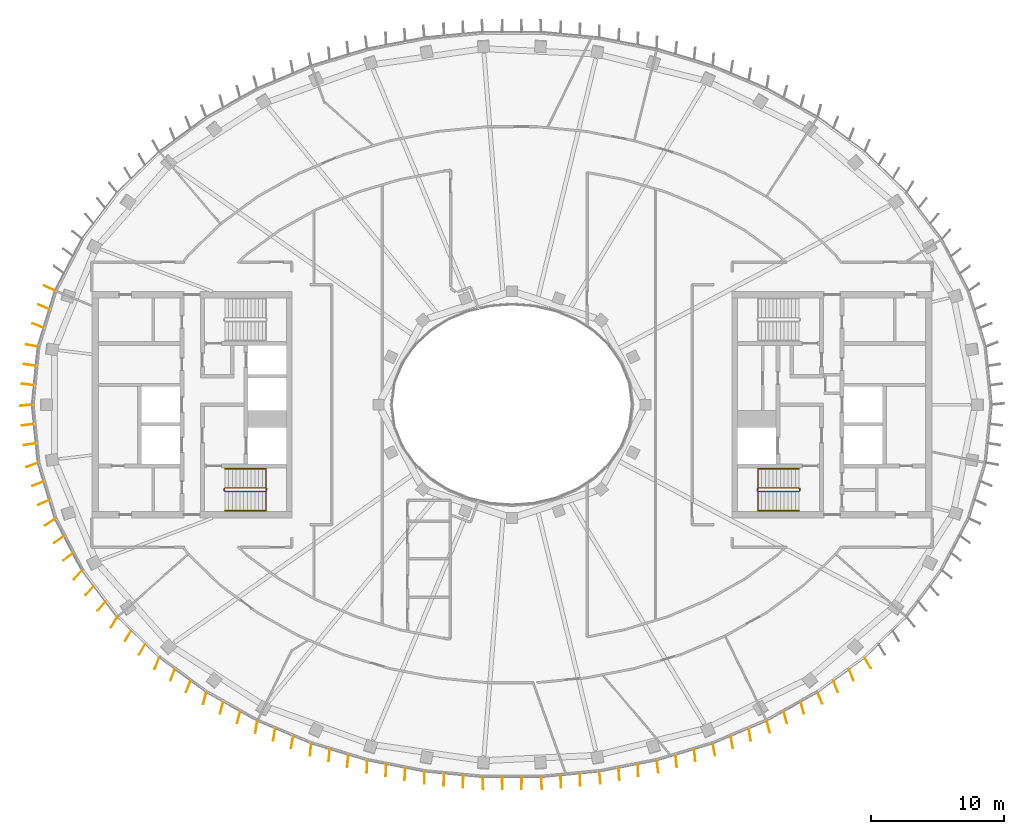
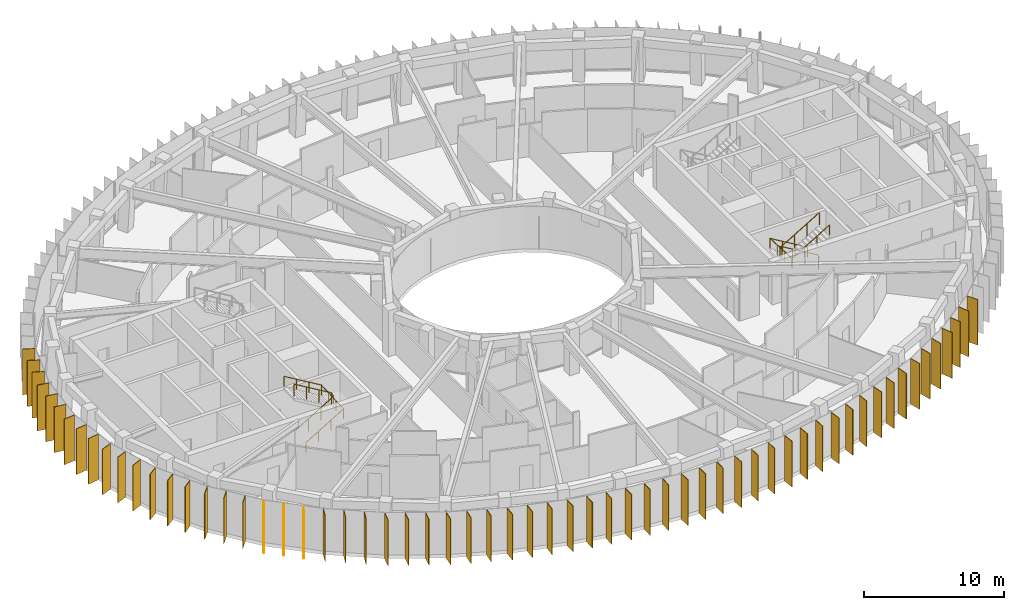
# One storey, part 11 of 13: 61 coverings, 4 railings.
"""IFC4 building model written with IfcOpenShell, lengths in metres."""

from ifc_helpers import new_model, si_unit, direction, frame, origin, origin_2d, place, context, subcontext, project, spatial, rectangle, extrude, material, material_profile, profile_set, type_object, element, save


model = new_model("IFC4")

# Units and contexts
model_context = context("Model", 3, precision=1e-05, world=origin(), true_north=direction((0.0, 1.0)))
body_context = subcontext(model_context, "Body", "Model", "MODEL_VIEW")
ifc_project = project(units=[si_unit("LENGTHUNIT", "METRE"), si_unit("AREAUNIT", "SQUARE_METRE"), si_unit("VOLUMEUNIT", "CUBIC_METRE"), si_unit("PLANEANGLEUNIT", "RADIAN"), si_unit("MASSUNIT", "GRAM", prefix="KILO")], contexts=[model_context])

# Site, building, storey
site_placement = place(None, origin())
site = spatial("IfcSite", under=ifc_project, at=site_placement, CompositionType="ELEMENT")
building_placement = place(site_placement, origin())
building = spatial("IfcBuilding", under=site, at=building_placement, Name="Noorbagh Ring Tower", CompositionType="ELEMENT")
storey_placement = place(building_placement, frame((0.0, 0.0, 327.0)))
storey = spatial("IfcBuildingStorey", under=building, at=storey_placement, Name="L71", CompositionType="ELEMENT", Elevation=327.0)

# Railings
ifc_material_1 = material(Name="Stainless steel", Category="steel")
railing_type_1 = type_object("IfcRailingType", Name="CORE-STAIR-GUARD", PredefinedType="GUARDRAIL", material=ifc_material_1)
railing_1_placement = place(storey_placement, frame((-21.580078125, -6.449951171875, 0.0)))
element("IfcRailing", 1, at=railing_1_placement, inside=storey, type_object=railing_type_1, Name="L71 ST2 stair guard", PredefinedType="GUARDRAIL", context=body_context, shape_type="SweptSolid", body=[
    extrude(rectangle(XDim=0.048095703125, YDim=0.048095703125, at=origin_2d()), frame((0.0, 0.0, 1.076171875), z_axis=(0.0, 1.0, 0.0), x_axis=(-1.0, 0.0, 0.0)), (0.0, 0.0, 1.0), 0.14990234375),
    extrude(rectangle(XDim=0.048095703125, YDim=0.048095703125, at=origin_2d()), frame((0.0, 0.14990234375, 1.076171875), z_axis=(0.188775798145, -0.754182335027, 0.628945707965), x_axis=(0.970072785993, 0.242814311512, 0.0)), (0.0, 0.0, 1.0), 0.26513671875),
    extrude(rectangle(XDim=0.048095703125, YDim=0.048095703125, at=origin_2d()), frame((0.050048828125, -0.050048828125, 1.24267578125), z_axis=(0.859308565015, 0.0, 0.511457515432), x_axis=(0.0, 1.0, 0.0)), (0.0, 0.0, 1.0), 3.58447265625),
    extrude(rectangle(XDim=0.048095703125, YDim=0.048095703125, at=origin_2d()), frame((3.130126953125, -0.050048828125, 3.076171875), z_axis=(0.707106781187, 0.707106781187, 0.0), x_axis=(-0.707106781187, 0.707106781187, 0.0)), (0.0, 0.0, 1.0), 0.07080078125),
    extrude(rectangle(XDim=0.048095703125, YDim=0.048095703125, at=origin_2d()), frame((3.18017578125, 0.0, 3.076171875), z_axis=(0.0, 1.0, 0.0), x_axis=(-1.0, 0.0, 0.0)), (0.0, 0.0, 1.0), 0.14990234375),
    extrude(rectangle(XDim=0.048095703125, YDim=0.048095703125, at=origin_2d()), frame((3.18017578125, 0.14990234375, 3.076171875), z_axis=(-0.27628659633, 0.27628659633, 0.920506074601), x_axis=(-0.707106781187, -0.707106781187, 0.0)), (0.0, 0.0, 1.0), 0.18115234375),
    extrude(rectangle(XDim=0.048095703125, YDim=0.048095703125, at=origin_2d()), frame((3.130126953125, 0.199951171875, 3.24267578125), z_axis=(-0.859308565015, 0.0, 0.511457515432), x_axis=(0.0, -1.0, 0.0)), (0.0, 0.0, 1.0), 3.58447265625),
    extrude(rectangle(XDim=0.0419921875, YDim=0.0419921875, at=origin_2d()), origin(), (0.0, 0.0, 1.0), 1.052001953125),
    extrude(rectangle(XDim=0.0419921875, YDim=0.0419921875, at=origin_2d()), frame((1.07666015625, -0.050048828125, 0.77783203125)), (0.0, 0.0, 1.0), 1.052001953125),
    extrude(rectangle(XDim=0.0419921875, YDim=0.0419921875, at=origin_2d()), frame((2.103515625, -0.050048828125, 1.388916015625)), (0.0, 0.0, 1.0), 1.052001953125),
    extrude(rectangle(XDim=0.0419921875, YDim=0.0419921875, at=origin_2d()), frame((3.130126953125, -0.050048828125, 2.0)), (0.0, 0.0, 1.0), 1.052001953125),
    extrude(rectangle(XDim=0.0419921875, YDim=0.0419921875, at=origin_2d()), frame((3.130126953125, 0.199951171875, 2.166748046875)), (0.0, 0.0, 1.0), 1.052001953125),
    extrude(rectangle(XDim=0.0419921875, YDim=0.0419921875, at=origin_2d()), frame((2.103515625, 0.199951171875, 2.77783203125)), (0.0, 0.0, 1.0), 1.052001953125),
    extrude(rectangle(XDim=0.0419921875, YDim=0.0419921875, at=origin_2d()), frame((1.07666015625, 0.199951171875, 3.388916015625)), (0.0, 0.0, 1.0), 1.052001953125),
    extrude(rectangle(XDim=0.0419921875, YDim=0.0419921875, at=origin_2d()), frame((0.050048828125, 0.199951171875, 4.0)), (0.0, 0.0, 1.0), 1.052001953125),
])
railing_2_placement = place(storey_placement, frame((21.580078125, -6.300048828125, 0.0)))
element("IfcRailing", 2, at=railing_2_placement, inside=storey, type_object=railing_type_1, Name="L71 ST4 stair guard", PredefinedType="GUARDRAIL", context=body_context, shape_type="SweptSolid", body=[
    extrude(rectangle(XDim=0.048095703125, YDim=0.048095703125, at=origin_2d()), frame((0.0, 0.0, 1.076171875), z_axis=(0.0, -1.0, 0.0), x_axis=(1.0, 0.0, 0.0)), (0.0, 0.0, 1.0), 0.14990234375),
    extrude(rectangle(XDim=0.048095703125, YDim=0.048095703125, at=origin_2d()), frame((0.0, -0.14990234375, 1.076171875), z_axis=(-0.188775798145, 0.754182335027, 0.628945707965), x_axis=(-0.970072785993, -0.242814311512, 0.0)), (0.0, 0.0, 1.0), 0.26513671875),
    extrude(rectangle(XDim=0.048095703125, YDim=0.048095703125, at=origin_2d()), frame((-0.050048828125, 0.050048828125, 1.24267578125), z_axis=(-0.859308565015, 0.0, 0.511457515432), x_axis=(0.0, -1.0, 0.0)), (0.0, 0.0, 1.0), 3.58447265625),
    extrude(rectangle(XDim=0.048095703125, YDim=0.048095703125, at=origin_2d()), frame((-3.130126953125, 0.050048828125, 3.076171875), z_axis=(-0.707106781187, -0.707106781187, 0.0), x_axis=(0.707106781187, -0.707106781187, 0.0)), (0.0, 0.0, 1.0), 0.07080078125),
    extrude(rectangle(XDim=0.048095703125, YDim=0.048095703125, at=origin_2d()), frame((-3.18017578125, 0.0, 3.076171875), z_axis=(0.0, -1.0, 0.0), x_axis=(1.0, 0.0, 0.0)), (0.0, 0.0, 1.0), 0.14990234375),
    extrude(rectangle(XDim=0.048095703125, YDim=0.048095703125, at=origin_2d()), frame((-3.18017578125, -0.14990234375, 3.076171875), z_axis=(0.27628659633, -0.27628659633, 0.920506074601), x_axis=(0.707106781187, 0.707106781187, 0.0)), (0.0, 0.0, 1.0), 0.18115234375),
    extrude(rectangle(XDim=0.048095703125, YDim=0.048095703125, at=origin_2d()), frame((-3.130126953125, -0.199951171875, 3.24267578125), z_axis=(0.859308565015, 0.0, 0.511457515432), x_axis=(0.0, 1.0, 0.0)), (0.0, 0.0, 1.0), 3.58447265625),
    extrude(rectangle(XDim=0.0419921875, YDim=0.0419921875, at=origin_2d()), origin(), (0.0, 0.0, 1.0), 1.052001953125),
    extrude(rectangle(XDim=0.0419921875, YDim=0.0419921875, at=origin_2d()), frame((-1.07666015625, 0.050048828125, 0.77783203125)), (0.0, 0.0, 1.0), 1.052001953125),
    extrude(rectangle(XDim=0.0419921875, YDim=0.0419921875, at=origin_2d()), frame((-2.103515625, 0.050048828125, 1.388916015625)), (0.0, 0.0, 1.0), 1.052001953125),
    extrude(rectangle(XDim=0.0419921875, YDim=0.0419921875, at=origin_2d()), frame((-3.130126953125, 0.050048828125, 2.0)), (0.0, 0.0, 1.0), 1.052001953125),
    extrude(rectangle(XDim=0.0419921875, YDim=0.0419921875, at=origin_2d()), frame((-3.130126953125, -0.199951171875, 2.166748046875)), (0.0, 0.0, 1.0), 1.052001953125),
    extrude(rectangle(XDim=0.0419921875, YDim=0.0419921875, at=origin_2d()), frame((-2.103515625, -0.199951171875, 2.77783203125)), (0.0, 0.0, 1.0), 1.052001953125),
    extrude(rectangle(XDim=0.0419921875, YDim=0.0419921875, at=origin_2d()), frame((-1.07666015625, -0.199951171875, 3.388916015625)), (0.0, 0.0, 1.0), 1.052001953125),
    extrude(rectangle(XDim=0.0419921875, YDim=0.0419921875, at=origin_2d()), frame((-0.050048828125, -0.199951171875, 4.0)), (0.0, 0.0, 1.0), 1.052001953125),
])
ifc_material_2 = material(Name="Stainless steel", Category="steel")
railing_type_2 = type_object("IfcRailingType", Name="CORE-STAIR-HANDRAIL", PredefinedType="HANDRAIL", material=ifc_material_2)
railing_3_placement = place(storey_placement, frame((-21.530029296875, -7.949951171875, 0.166748046875)))
element("IfcRailing", 3, at=railing_3_placement, inside=storey, type_object=railing_type_2, Name="L71 ST2 stair handrail", PredefinedType="HANDRAIL", context=body_context, shape_type="SweptSolid", body=[
    extrude(rectangle(XDim=0.048095703125, YDim=0.048095703125, at=origin_2d()), frame((0.0, 0.0, 0.8759765625), z_axis=(0.859308565015, 0.0, 0.511457515432), x_axis=(0.0, 1.0, 0.0)), (0.0, 0.0, 1.0), 3.58447265625),
    extrude(rectangle(XDim=0.048095703125, YDim=0.048095703125, at=origin_2d()), frame((3.080078125, 0.0, 2.708984375), z_axis=(0.0, 0.998601747152, 0.052863509014), x_axis=(-1.0, 0.0, 0.0)), (0.0, 0.0, 1.0), 3.154296875),
    extrude(rectangle(XDim=0.048095703125, YDim=0.048095703125, at=origin_2d()), frame((3.080078125, 3.14990234375, 2.8759765625), z_axis=(-0.859308565015, 0.0, 0.511457515432), x_axis=(0.0, -1.0, 0.0)), (0.0, 0.0, 1.0), 3.58447265625),
    extrude(rectangle(XDim=0.0419921875, YDim=0.0419921875, at=origin_2d()), origin(), (0.0, 0.0, 1.0), 0.851806640625),
    extrude(rectangle(XDim=0.0419921875, YDim=0.0419921875, at=origin_2d()), frame((1.026611328125, 0.0, 0.611083984375)), (0.0, 0.0, 1.0), 0.851806640625),
    extrude(rectangle(XDim=0.0419921875, YDim=0.0419921875, at=origin_2d()), frame((2.053466796875, 0.0, 1.22216796875)), (0.0, 0.0, 1.0), 0.851806640625),
    extrude(rectangle(XDim=0.0419921875, YDim=0.0419921875, at=origin_2d()), frame((3.080078125, 0.0, 1.833251953125)), (0.0, 0.0, 1.0), 0.851806640625),
    extrude(rectangle(XDim=0.0419921875, YDim=0.0419921875, at=origin_2d()), frame((3.080078125, 1.050048828125, 1.888916015625)), (0.0, 0.0, 1.0), 0.851806640625),
    extrude(rectangle(XDim=0.0419921875, YDim=0.0419921875, at=origin_2d()), frame((3.080078125, 2.099853515625, 1.9443359375)), (0.0, 0.0, 1.0), 0.851806640625),
    extrude(rectangle(XDim=0.0419921875, YDim=0.0419921875, at=origin_2d()), frame((3.080078125, 3.14990234375, 2.0)), (0.0, 0.0, 1.0), 0.851806640625),
    extrude(rectangle(XDim=0.0419921875, YDim=0.0419921875, at=origin_2d()), frame((2.053466796875, 3.14990234375, 2.611083984375)), (0.0, 0.0, 1.0), 0.851806640625),
    extrude(rectangle(XDim=0.0419921875, YDim=0.0419921875, at=origin_2d()), frame((1.026611328125, 3.14990234375, 3.22216796875)), (0.0, 0.0, 1.0), 0.851806640625),
    extrude(rectangle(XDim=0.0419921875, YDim=0.0419921875, at=origin_2d()), frame((0.0, 3.14990234375, 3.833251953125)), (0.0, 0.0, 1.0), 0.851806640625),
])
railing_4_placement = place(storey_placement, frame((21.530029296875, -4.800048828125, 0.166748046875)))
element("IfcRailing", 4, at=railing_4_placement, inside=storey, type_object=railing_type_2, Name="L71 ST4 stair handrail", PredefinedType="HANDRAIL", context=body_context, shape_type="SweptSolid", body=[
    extrude(rectangle(XDim=0.048095703125, YDim=0.048095703125, at=origin_2d()), frame((0.0, 0.0, 0.8759765625), z_axis=(-0.859308565015, 0.0, 0.511457515432), x_axis=(0.0, -1.0, 0.0)), (0.0, 0.0, 1.0), 3.58447265625),
    extrude(rectangle(XDim=0.048095703125, YDim=0.048095703125, at=origin_2d()), frame((-3.080078125, 0.0, 2.708984375), z_axis=(0.0, -0.998601747152, 0.052863509014), x_axis=(1.0, 0.0, 0.0)), (0.0, 0.0, 1.0), 3.154296875),
    extrude(rectangle(XDim=0.048095703125, YDim=0.048095703125, at=origin_2d()), frame((-3.080078125, -3.14990234375, 2.8759765625), z_axis=(0.859308565015, 0.0, 0.511457515432), x_axis=(0.0, 1.0, 0.0)), (0.0, 0.0, 1.0), 3.58447265625),
    extrude(rectangle(XDim=0.0419921875, YDim=0.0419921875, at=origin_2d()), origin(), (0.0, 0.0, 1.0), 0.851806640625),
    extrude(rectangle(XDim=0.0419921875, YDim=0.0419921875, at=origin_2d()), frame((-1.026611328125, 0.0, 0.611083984375)), (0.0, 0.0, 1.0), 0.851806640625),
    extrude(rectangle(XDim=0.0419921875, YDim=0.0419921875, at=origin_2d()), frame((-2.053466796875, 0.0, 1.22216796875)), (0.0, 0.0, 1.0), 0.851806640625),
    extrude(rectangle(XDim=0.0419921875, YDim=0.0419921875, at=origin_2d()), frame((-3.080078125, 0.0, 1.833251953125)), (0.0, 0.0, 1.0), 0.851806640625),
    extrude(rectangle(XDim=0.0419921875, YDim=0.0419921875, at=origin_2d()), frame((-3.080078125, -1.050048828125, 1.888916015625)), (0.0, 0.0, 1.0), 0.851806640625),
    extrude(rectangle(XDim=0.0419921875, YDim=0.0419921875, at=origin_2d()), frame((-3.080078125, -2.099853515625, 1.9443359375)), (0.0, 0.0, 1.0), 0.851806640625),
    extrude(rectangle(XDim=0.0419921875, YDim=0.0419921875, at=origin_2d()), frame((-3.080078125, -3.14990234375, 2.0)), (0.0, 0.0, 1.0), 0.851806640625),
    extrude(rectangle(XDim=0.0419921875, YDim=0.0419921875, at=origin_2d()), frame((-2.053466796875, -3.14990234375, 2.611083984375)), (0.0, 0.0, 1.0), 0.851806640625),
    extrude(rectangle(XDim=0.0419921875, YDim=0.0419921875, at=origin_2d()), frame((-1.026611328125, -3.14990234375, 3.22216796875)), (0.0, 0.0, 1.0), 0.851806640625),
    extrude(rectangle(XDim=0.0419921875, YDim=0.0419921875, at=origin_2d()), frame((0.0, -3.14990234375, 3.833251953125)), (0.0, 0.0, 1.0), 0.851806640625),
])

# Coverings
ifc_material_3 = material(Name="Aluminium 6063-T6 black anodised", Category="aluminium")
ifc_material_profile = material_profile(ifc_material_3, rectangle(XDim=0.89990234375, YDim=0.050048828125, at=origin_2d()), Name="900x50")
ifc_profile_set = profile_set([ifc_material_profile], Name="Aluminium 6063-T6 black anodised")
covering_type = type_object("IfcCoveringType", Name="ENV-FIN", PredefinedType="CLADDING", material=ifc_profile_set)
for number, where, z_axis, x_axis, name in (
    (5, (-34.693359375, 8.738525390625, -0.284912109375), (0.0, 0.0, 1.0), (-0.907911558545, 0.419161784827, 0.0), "Fin F22 1 L71-L71"),
    (6, (-35.123291015625, 7.3330078125, -0.284912109375), (0.0, 0.0, 1.0), (-0.916474909008, 0.40009216583, 0.0), "Fin F22 2 L71-L71"),
    (7, (-35.553466796875, 5.92724609375, -0.284912109375), (0.0, 0.0, 1.0), (-0.925000661941, 0.379965492392, 0.0), "Fin F22 3 L71-L71"),
    (8, (-36.0068359375, 4.435546875, -0.284912109375), (0.0, 0.0, 1.0), (-0.985418628789, 0.170147365642, 0.0), "Fin F23 1 L71-L71"),
    (9, (-36.154296875, 2.97216796875, -0.284912109375), (0.0, 0.0, 1.0), (-0.989102941421, 0.147225579543, 0.0), "Fin F23 2 L71-L71"),
    (10, (-36.30126953125, 1.5087890625, -0.284912109375), (0.0, 0.0, 1.0), (-0.992302876732, 0.12383457041, 0.0), "Fin F23 3 L71-L71"),
    (11, (-36.4482421875, -0.045166015625, -0.284912109375), (0.0, 0.0, 1.0), (-0.994969504864, -0.100178263068, 0.0), "Fin F24 1 L71-L71"),
    (12, (-36.30126953125, -1.5087890625, -0.284912109375), (0.0, 0.0, 1.0), (-0.992302876732, -0.12383457041, 0.0), "Fin F24 2 L71-L71"),
    (13, (-36.154296875, -2.97216796875, -0.284912109375), (0.0, 0.0, 1.0), (-0.989102941421, -0.147225579543, 0.0), "Fin F24 3 L71-L71"),
    (14, (-35.9833984375, -4.520751953125, -0.284912109375), (0.0, 0.0, 1.0), (-0.933362145395, -0.358936074453, 0.0), "Fin F25 1 L71-L71"),
    (15, (-35.553466796875, -5.92724609375, -0.284912109375), (0.0, 0.0, 1.0), (-0.925000661941, -0.379965492392, 0.0), "Fin F25 2 L71-L71"),
    (16, (-35.123291015625, -7.3330078125, -0.284912109375), (0.0, 0.0, 1.0), (-0.916474909008, -0.40009216583, 0.0), "Fin F25 3 L71-L71"),
    (17, (-34.651611328125, -8.810791015625, -0.284912109375), (0.0, 0.0, 1.0), (-0.815855460993, -0.57825588347, 0.0), "Fin F26 1 L71-L71"),
    (18, (-33.9716796875, -10.113525390625, -0.284912109375), (0.0, 0.0, 1.0), (-0.804260303023, -0.59427717858, 0.0), "Fin F26 2 L71-L71"),
    (19, (-33.291748046875, -11.415771484375, -0.284912109375), (0.0, 0.0, 1.0), (-0.793137535147, -0.609042568579, 0.0), "Fin F26 3 L71-L71"),
    (20, (-32.559814453125, -12.77294921875, -0.284912109375), (0.0, 0.0, 1.0), (-0.667560908665, -0.744555191522, 0.0), "Fin F27 1 L71-L71"),
    (21, (-31.67236328125, -13.9423828125, -0.284912109375), (0.0, 0.0, 1.0), (-0.655973325588, -0.754784072511, 0.0), "Fin F27 2 L71-L71"),
    (22, (-30.785400390625, -15.111083984375, -0.284912109375), (0.0, 0.0, 1.0), (-0.645538637897, -0.76372761308, 0.0), "Fin F27 3 L71-L71"),
    (23, (-29.8427734375, -16.31884765625, -0.284912109375), (0.0, 0.0, 1.0), (-0.512880878504, -0.858459786166, 0.0), "Fin F28 1 L71-L71"),
    (24, (-28.790771484375, -17.33984375, -0.284912109375), (0.0, 0.0, 1.0), (-0.504279796606, -0.86354032143, 0.0), "Fin F28 2 L71-L71"),
    (25, (-27.73974609375, -18.360107421875, -0.284912109375), (0.0, 0.0, 1.0), (-0.497372201183, -0.867537257696, 0.0), "Fin F28 3 L71-L71"),
    (26, (-26.633544921875, -19.406982421875, -0.284912109375), (0.0, 0.0, 1.0), (-0.36956351025, -0.929205473451, 0.0), "Fin F29 1 L71-L71"),
    (27, (-25.455078125, -20.2744140625, -0.284912109375), (0.0, 0.0, 1.0), (-0.366046969104, -0.930596376745, 0.0), "Fin F29 2 L71-L71"),
    (28, (-24.277587890625, -21.1416015625, -0.284912109375), (0.0, 0.0, 1.0), (-0.364533046139, -0.931190452202, 0.0), "Fin F29 3 L71-L71"),
    (29, (-23.04736328125, -22.02587890625, -0.284912109375), (0.0, 0.0, 1.0), (-0.247639241781, -0.968852313787, 0.0), "Fin F30 1 L71-L71"),
    (30, (-21.773681640625, -22.740966796875, -0.284912109375), (0.0, 0.0, 1.0), (-0.250260795191, -0.968178462057, 0.0), "Fin F30 2 L71-L71"),
    (31, (-20.5009765625, -23.455810546875, -0.284912109375), (0.0, 0.0, 1.0), (-0.254952183177, -0.966953661916, 0.0), "Fin F30 3 L71-L71"),
    (32, (-19.1787109375, -24.18115234375, -0.284912109375), (0.0, 0.0, 1.0), (-0.150807271851, -0.988563182987, 0.0), "Fin F31 1 L71-L71"),
    (33, (-17.8349609375, -24.7470703125, -0.284912109375), (0.0, 0.0, 1.0), (-0.159692607737, -0.987166789876, 0.0), "Fin F31 2 L71-L71"),
    (34, (-16.491943359375, -25.312744140625, -0.284912109375), (0.0, 0.0, 1.0), (-0.170506078168, -0.98535662443, 0.0), "Fin F31 3 L71-L71"),
    (35, (-15.102294921875, -25.884521484375, -0.284912109375), (0.0, 0.0, 1.0), (-0.078357246483, -0.996925344208, 0.0), "Fin F32 1 L71-L71"),
    (36, (-13.708740234375, -26.304931640625, -0.284912109375), (0.0, 0.0, 1.0), (-0.092918421481, -0.995673725148, 0.0), "Fin F32 2 L71-L71"),
    (37, (-12.31591796875, -26.72509765625, -0.284912109375), (0.0, 0.0, 1.0), (-0.109101232004, -0.994030643982, 0.0), "Fin F32 3 L71-L71"),
    (38, (-10.878173828125, -27.148681640625, -0.284912109375), (0.0, 0.0, 1.0), (-0.026776269089, -0.999641451428, 0.0), "Fin F33 1 L71-L71"),
    (39, (-9.45166015625, -27.4267578125, -0.284912109375), (0.0, 0.0, 1.0), (-0.045914966776, -0.998945351772, 0.0), "Fin F33 2 L71-L71"),
    (40, (-8.025390625, -27.704833984375, -0.284912109375), (0.0, 0.0, 1.0), (-0.066244569047, -0.997803416045, 0.0), "Fin F33 3 L71-L71"),
    (41, (-6.555908203125, -27.984375, -0.284912109375), (0.0, 0.0, 1.0), (0.009149395388, -0.999958143406, 0.0), "Fin F34 1 L71-L71"),
    (42, (-5.1103515625, -28.12255859375, -0.284912109375), (0.0, 0.0, 1.0), (-0.01311800313, -0.999913955295, 0.0), "Fin F34 2 L71-L71"),
    (43, (-3.6650390625, -28.2607421875, -0.284912109375), (0.0, 0.0, 1.0), (-0.036058216879, -0.999349691047, 0.0), "Fin F34 3 L71-L71"),
    (44, (-2.17724609375, -28.399169921875, -0.284912109375), (0.0, 0.0, 1.0), (0.035640795498, -0.999364665023, 0.0), "Fin F35 1 L71-L71"),
    (45, (-0.7255859375, -28.398681640625, -0.284912109375), (0.0, 0.0, 1.0), (0.011915412219, -0.999929008956, 0.0), "Fin F35 2 L71-L71"),
    (46, (0.7255859375, -28.398681640625, -0.284912109375), (0.0, 0.0, 1.0), (-0.011915412219, -0.999929008956, 0.0), "Fin F35 3 L71-L71"),
    (47, (2.219970703125, -28.398681640625, -0.284912109375), (0.0, 0.0, 1.0), (0.059468185924, -0.998230201338, 0.0), "Fin F36 1 L71-L71"),
    (48, (3.6650390625, -28.2607421875, -0.284912109375), (0.0, 0.0, 1.0), (0.036058216879, -0.999349691047, 0.0), "Fin F36 2 L71-L71"),
    (49, (5.1103515625, -28.12255859375, -0.284912109375), (0.0, 0.0, 1.0), (0.01311800313, -0.999913955295, 0.0), "Fin F36 3 L71-L71"),
    (50, (6.599609375, -27.982666015625, -0.284912109375), (0.0, 0.0, 1.0), (0.087584380503, -0.996157104222, 0.0), "Fin F37 1 L71-L71"),
    (51, (8.025390625, -27.704833984375, -0.284912109375), (0.0, 0.0, 1.0), (0.066244569047, -0.997803416045, 0.0), "Fin F37 2 L71-L71"),
    (52, (9.45166015625, -27.4267578125, -0.284912109375), (0.0, 0.0, 1.0), (0.045914966776, -0.998945351772, 0.0), "Fin F37 3 L71-L71"),
    (53, (10.923583984375, -27.14501953125, -0.284912109375), (0.0, 0.0, 1.0), (0.126759493419, -0.99193348105, 0.0), "Fin F38 1 L71-L71"),
    (54, (12.31591796875, -26.72509765625, -0.284912109375), (0.0, 0.0, 1.0), (0.109101232004, -0.994030643982, 0.0), "Fin F38 2 L71-L71"),
    (55, (13.708740234375, -26.304931640625, -0.284912109375), (0.0, 0.0, 1.0), (0.092918421481, -0.995673725148, 0.0), "Fin F38 3 L71-L71"),
    (56, (15.14990234375, -25.878173828125, -0.284912109375), (0.0, 0.0, 1.0), (0.183146311447, -0.983085666971, 0.0), "Fin F39 1 L71-L71"),
    (57, (16.491943359375, -25.312744140625, -0.284912109375), (0.0, 0.0, 1.0), (0.170506078168, -0.98535662443, 0.0), "Fin F39 2 L71-L71"),
    (58, (17.8349609375, -24.7470703125, -0.284912109375), (0.0, 0.0, 1.0), (0.159692607737, -0.987166789876, 0.0), "Fin F39 3 L71-L71"),
    (59, (19.229248046875, -24.170166015625, -0.284912109375), (0.0, 0.0, 1.0), (0.261666615878, -0.965158319725, 0.0), "Fin F40 1 L71-L71"),
    (60, (20.5009765625, -23.455810546875, -0.284912109375), (0.0, 0.0, 1.0), (0.254952183177, -0.966953661916, 0.0), "Fin F40 2 L71-L71"),
    (61, (21.773681640625, -22.740966796875, -0.284912109375), (0.0, 0.0, 1.0), (0.250260795191, -0.968178462057, 0.0), "Fin F40 3 L71-L71"),
    (62, (23.100830078125, -22.00830078125, -0.284912109375), (0.0, 0.0, 1.0), (0.365038143381, -0.930992563814, 0.0), "Fin F41 1 L71-L71"),
    (63, (24.277587890625, -21.1416015625, -0.284912109375), (0.0, 0.0, 1.0), (0.364533046139, -0.931190452202, 0.0), "Fin F41 2 L71-L71"),
    (64, (25.455078125, -20.2744140625, -0.284912109375), (0.0, 0.0, 1.0), (0.366046969104, -0.930596376745, 0.0), "Fin F41 3 L71-L71"),
    (65, (26.689453125, -19.3798828125, -0.284912109375), (0.0, 0.0, 1.0), (0.492240226633, -0.87045939554, 0.0), "Fin F42 1 L71-L71"),
):
    element("IfcCovering", number, at=place(storey_placement, frame(where, z_axis=z_axis, x_axis=x_axis)), inside=storey, type_object=covering_type, Name=name, ObjectType="FIN", PredefinedType="CLADDING", context=body_context, shape_type="SweptSolid", body=[
        extrude(rectangle(XDim=0.89990234375, YDim=0.050048828125, at=origin_2d()), origin(), (0.0, 0.0, 1.0), 3.969970703125),
    ])

save(model, "model.ifc")
